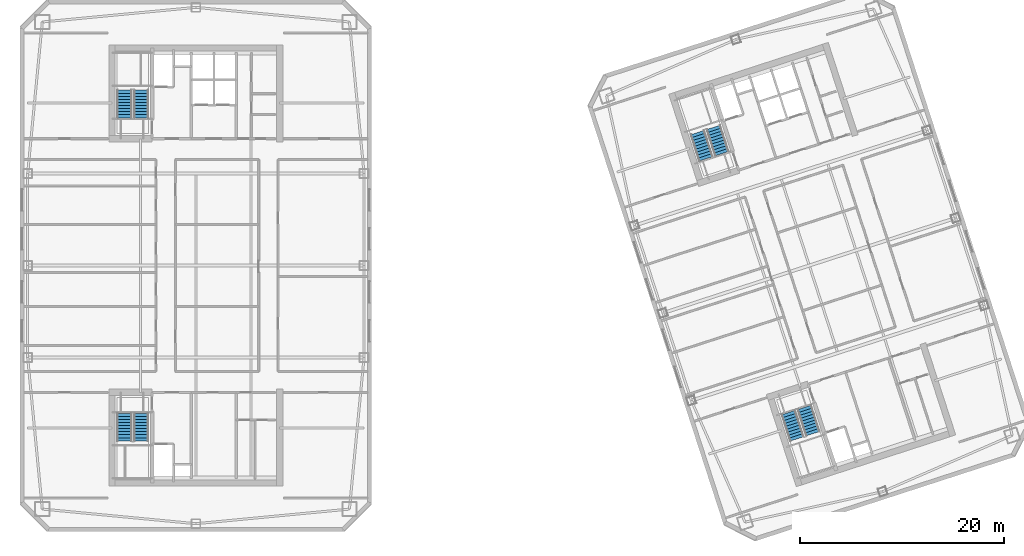
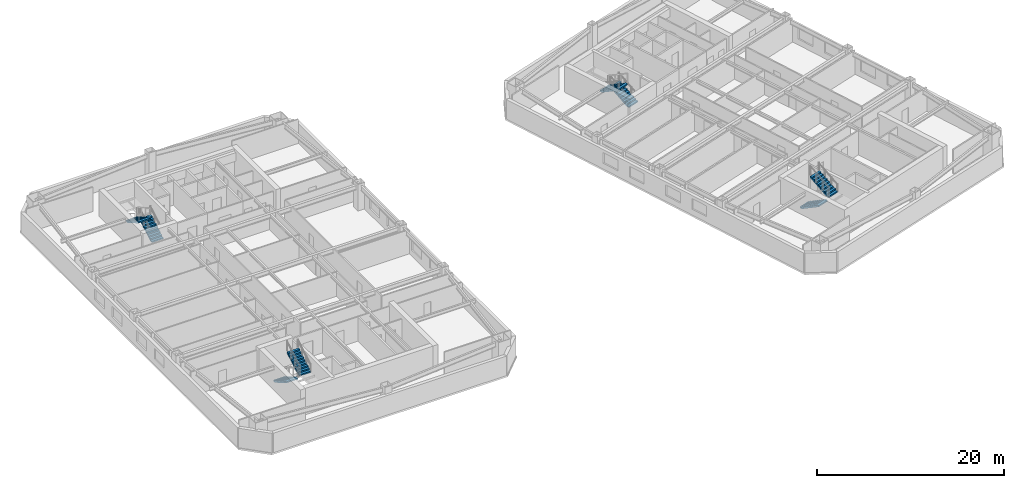
# One storey, part 11 of 13: 8 stair flights, 4 elements without a shape of their own.
"""IFC4 building model written with IfcOpenShell, lengths in metres."""

import ifcopenshell
import ifcopenshell.guid

model = None  # the IFC model being written
_history = None  # IfcOwnerHistory: only IFC2X3 demands one
_inside = {}  # id of a spatial element -> (the spatial element, [elements in it])
_under = {}  # id of a project, library or spatial element -> (it, [spatial elements below it])
_declared = {}  # id of a project -> (the project, [libraries it declares])
_typed = {}  # id of a type object -> (the type object, [elements of that type])
_made_of = {}  # id of a material, layer set ... -> (it, [elements and type objects made of it])


def new_model(schema):
    """Start an empty IFC model of exactly this schema.

    Asked for "IFC4X3", IfcOpenShell would pick the latest addendum, in which some entities
    have other attributes; the version numbers below select the first issue.
    IFC2X3 requires an IfcOwnerHistory on every rooted entity: one is made here for all.
    """
    global model, _history
    if schema == "IFC4X3":
        model = ifcopenshell.file(schema_version=(4, 3, 0, 0))
    else:
        model = ifcopenshell.file(schema=schema)
    _inside.clear()
    _under.clear()
    _declared.clear()
    _typed.clear()
    _made_of.clear()
    _history = None
    if model.schema == "IFC2X3":
        org = make("IfcOrganization", Name="unknown")
        user = make(
            "IfcPersonAndOrganization",
            ThePerson=make("IfcPerson", FamilyName="unknown"),
            TheOrganization=org,
        )
        app = make(
            "IfcApplication",
            ApplicationDeveloper=org,
            Version="unknown",
            ApplicationFullName="unknown",
            ApplicationIdentifier="unknown",
        )
        _history = make(
            "IfcOwnerHistory",
            OwningUser=user,
            OwningApplication=app,
            ChangeAction="ADDED",
            CreationDate=0,
        )
    return model


def make(cls, **values):
    """One entity of the class cls with the attributes given. An attribute that is None is left unset."""
    return model.create_entity(
        cls, **{name: value for name, value in values.items() if value is not None}
    )


def rooted(cls, **values):
    """An entity with a GlobalId (a new one), such as an element, a storey or a relation."""
    return make(cls, GlobalId=ifcopenshell.guid.new(), OwnerHistory=_history, **values)


def si_unit(unit_type, name, prefix=None):
    """IfcSIUnit, for example si_unit("LENGTHUNIT", "METRE", prefix="MILLI")."""
    return make("IfcSIUnit", UnitType=unit_type, Prefix=prefix, Name=name)


def assignment(units):
    """IfcUnitAssignment: the units of a project."""
    return None if units is None else make("IfcUnitAssignment", Units=units)


def point(xyz):
    """IfcCartesianPoint."""
    return None if xyz is None else make("IfcCartesianPoint", Coordinates=xyz)


def direction(xyz):
    """IfcDirection."""
    return None if xyz is None else make("IfcDirection", DirectionRatios=xyz)


def frame(location, z_axis=None, x_axis=None):
    """IfcAxis2Placement3D, a coordinate frame: its origin and axes. An axis left out is left unset."""
    return make(
        "IfcAxis2Placement3D",
        Location=point(location),
        Axis=direction(z_axis),
        RefDirection=direction(x_axis),
    )


def origin():
    """The frame at (0, 0, 0) with its axes left unset."""
    return frame((0.0, 0.0, 0.0))


def place(relative_to, where):
    """IfcLocalPlacement: puts the frame where relative to a parent placement (None: the world)."""
    return make(
        "IfcLocalPlacement", PlacementRelTo=relative_to, RelativePlacement=where
    )


def context(
    kind, dimensions, precision=None, world=None, true_north=None, identifier=None
):
    """IfcGeometricRepresentationContext, for example the 3D "Model" context."""
    return make(
        "IfcGeometricRepresentationContext",
        ContextIdentifier=identifier,
        ContextType=kind,
        CoordinateSpaceDimension=dimensions,
        Precision=precision,
        WorldCoordinateSystem=world,
        TrueNorth=true_north,
    )


def subcontext(parent, identifier, kind, view, scale=None):
    """IfcGeometricRepresentationSubContext, for example "Body" below "Model"."""
    return make(
        "IfcGeometricRepresentationSubContext",
        ContextIdentifier=identifier,
        ContextType=kind,
        ParentContext=parent,
        TargetScale=scale,
        TargetView=view,
    )


def project(units=None, contexts=None):
    """IfcProject with its units and contexts."""
    return rooted(
        "IfcProject",
        Name="project",
        RepresentationContexts=contexts,
        UnitsInContext=assignment(units),
    )


def spatial(cls, under=None, at=None, **own):
    """A site, building, storey or space (cls), placed at a placement, below another one or the project."""
    s = rooted(cls, ObjectPlacement=at, **own)
    if under is not None:
        _under.setdefault(under.id(), (under, []))[1].append(s)
    return s


def polyline(points):
    """IfcPolyline through the points."""
    return make("IfcPolyline", Points=[point(p) for p in points])


def outline(outer, holes=None, kind="AREA"):
    """IfcArbitraryClosedProfileDef: a profile drawn as a closed curve; with holes, ...WithVoids."""
    if holes is None:
        return make("IfcArbitraryClosedProfileDef", ProfileType=kind, OuterCurve=outer)
    return make(
        "IfcArbitraryProfileDefWithVoids",
        ProfileType=kind,
        OuterCurve=outer,
        InnerCurves=holes,
    )


def extrude(swept, where, along, depth):
    """IfcExtrudedAreaSolid: the profile swept, set in the frame where, extruded along a direction by depth."""
    return make(
        "IfcExtrudedAreaSolid",
        SweptArea=swept,
        Position=where,
        ExtrudedDirection=direction(along),
        Depth=depth,
    )


def shape(context_of_items, identifier, shape_type, items):
    """IfcShapeRepresentation: the items that make up one representation, for example the "Body"."""
    return make(
        "IfcShapeRepresentation",
        ContextOfItems=context_of_items,
        RepresentationIdentifier=identifier,
        RepresentationType=shape_type,
        Items=items,
    )


def material(Name=None, Category=None):
    """IfcMaterial."""
    return make("IfcMaterial", Name=Name, Category=Category)


def made_of(thing, what):
    """Note that an element or type object is made of a material, layer set ...; save() writes the relation."""
    if what is not None:
        _made_of.setdefault(what.id(), (what, []))[1].append(thing)
    return thing


def type_object(cls, material=None, **own):
    """A type object (cls), such as IfcWallType, which elements share."""
    return made_of(rooted(cls, **own), material)


def element(
    cls,
    number,
    at=None,
    inside=None,
    cuts=None,
    type_object=None,
    material=None,
    context=None,
    identifier="Body",
    shape_type=None,
    held_by="IfcProductDefinitionShape",
    body=None,
    shapes=None,
    **own,
):
    """One element of the class cls, such as IfcWall. Its Tag is "e" and its number.

    at: its placement. inside: the storey or other place that contains it. cuts: it is an
    opening in that element (IfcRelVoidsElement). A single representation is given by context,
    identifier, shape_type and body (its items); several are given by shapes. held_by: the class
    of the entity that holds the representations. save() writes the other relations.
    """
    e = rooted(cls, Tag="e%d" % number, ObjectPlacement=at, **own)
    if body is not None:
        shapes = [shape(context, identifier, shape_type, body)]
    if shapes is not None:
        e.Representation = make(held_by, Representations=shapes)
    if inside is not None:
        _inside.setdefault(inside.id(), (inside, []))[1].append(e)
    if cuts is not None:
        rooted(
            "IfcRelVoidsElement", RelatingBuildingElement=cuts, RelatedOpeningElement=e
        )
    if type_object is not None:
        _typed.setdefault(type_object.id(), (type_object, []))[1].append(e)
    return made_of(e, material)


def aggregate(whole, parts):
    """IfcRelAggregates: a whole, such as a stair, and the parts it consists of."""
    return rooted("IfcRelAggregates", RelatingObject=whole, RelatedObjects=parts)


def save(model, path):
    """Write the relations noted so far, then the file.

    IfcRelAggregates (storeys below a building ...), IfcRelContainedInSpatialStructure (elements
    in a storey), IfcRelDefinesByType, IfcRelAssociatesMaterial and IfcRelDeclares: one each for
    every whole, place, type object, material and project.
    """
    for whole, parts in _under.values():
        aggregate(whole, parts)
    for where, things in _inside.values():
        rooted(
            "IfcRelContainedInSpatialStructure",
            RelatedElements=things,
            RelatingStructure=where,
        )
    for kind, things in _typed.values():
        rooted("IfcRelDefinesByType", RelatedObjects=things, RelatingType=kind)
    for what, things in _made_of.values():
        rooted("IfcRelAssociatesMaterial", RelatedObjects=things, RelatingMaterial=what)
    for by, libraries in _declared.values():
        rooted("IfcRelDeclares", RelatingContext=by, RelatedDefinitions=libraries)
    model.write(path)


model = new_model("IFC4")

# Units and contexts
model_context = context("Model", 3, precision=1e-05, world=origin(), true_north=direction((0.0, 1.0)))
body_context = subcontext(model_context, "Body", "Model", "MODEL_VIEW")
ifc_project = project(units=[si_unit("LENGTHUNIT", "METRE"), si_unit("AREAUNIT", "SQUARE_METRE"), si_unit("VOLUMEUNIT", "CUBIC_METRE"), si_unit("PLANEANGLEUNIT", "RADIAN"), si_unit("MASSUNIT", "GRAM", prefix="KILO")], contexts=[model_context])

# Site, building, storey
site_placement = place(None, origin())
site = spatial("IfcSite", under=ifc_project, at=site_placement, CompositionType="ELEMENT")
building_placement = place(site_placement, origin())
building = spatial("IfcBuilding", under=site, at=building_placement, Name="Qiaolan Cultural Towers", CompositionType="ELEMENT")
storey_placement = place(building_placement, frame((0.0, 0.0, 180.550048828125)))
storey = spatial("IfcBuildingStorey", under=building, at=storey_placement, Name="L48", CompositionType="ELEMENT", Elevation=180.550048828125)

# Stair, stair flights
ifc_material_1 = material(Name="Concrete C45", Category="concrete")
stair_type = type_object("IfcStairType", Name="STR-CORE-1500", PredefinedType="HALF_TURN_STAIR", material=ifc_material_1)
stair_1_placement = place(storey_placement, origin())
stair_1 = element("IfcStair", 1, at=stair_1_placement, inside=storey, type_object=stair_type, Name="L48 Smokeproof Exit Stair ST-W1", PredefinedType="HALF_TURN_STAIR")
ifc_material_2 = material(Name="Concrete C45", Category="concrete")
stair_flight_type = type_object("IfcStairFlightType", Name="STR-CORE-1500-FL", PredefinedType="STRAIGHT", material=ifc_material_2)
stair_flight_1_placement = place(storey_placement, frame((23.02001953125, 19.550048828125, 0.0), z_axis=(0.0, 0.0, 1.0), x_axis=(0.0, -1.0, 0.0)))
stair_flight_1 = element("IfcStairFlight", 2, at=stair_flight_1_placement, type_object=stair_flight_type, Name="ST-W1 flight 1", NumberOfRisers=10, NumberOfTreads=9, PredefinedType="STRAIGHT", RiserHeight=0.1725, TreadLength=0.3, context=body_context, shape_type="SweptSolid", body=[
    extrude(outline(polyline([(0.0, 0.0), (0.0, 0.172607421875), (0.300048828125, 0.172607421875), (0.300048828125, 0.344970703125), (0.60009765625, 0.344970703125), (0.60009765625, 0.517578125), (0.89990234375, 0.517578125), (0.89990234375, 0.68994140625), (1.199951171875, 0.68994140625), (1.199951171875, 0.862548828125), (1.5, 0.862548828125), (1.5, 1.034912109375), (1.800048828125, 1.034912109375), (1.800048828125, 1.20751953125), (2.10009765625, 1.20751953125), (2.10009765625, 1.3798828125), (2.39990234375, 1.3798828125), (2.39990234375, 1.552490234375), (2.699951171875, 1.552490234375), (2.699951171875, 1.72509765625), (2.699951171875, 1.379638671875), (0.30078125, 0.0), (0.0, 0.0)])), frame((0.0, 0.719970703125, 0.0), z_axis=(0.0, -1.0, 0.0), x_axis=(1.0, 0.0, 0.0)), (0.0, 0.0, 1.0), 1.43994140625),
])
stair_flight_2_placement = place(storey_placement, frame((24.659912109375, 16.85009765625, 1.724853515625), z_axis=(0.0, 0.0, 1.0), x_axis=(0.0, 1.0, 0.0)))
stair_flight_2 = element("IfcStairFlight", 3, at=stair_flight_2_placement, type_object=stair_flight_type, Name="ST-W1 flight 2", NumberOfRisers=10, NumberOfTreads=9, PredefinedType="STRAIGHT", RiserHeight=0.1725, TreadLength=0.3, context=body_context, shape_type="SweptSolid", body=[
    extrude(outline(polyline([(0.0, 0.0), (0.0, 0.172607421875), (0.300048828125, 0.172607421875), (0.300048828125, 0.344970703125), (0.60009765625, 0.344970703125), (0.60009765625, 0.517578125), (0.89990234375, 0.517578125), (0.89990234375, 0.68994140625), (1.199951171875, 0.68994140625), (1.199951171875, 0.862548828125), (1.5, 0.862548828125), (1.5, 1.034912109375), (1.800048828125, 1.034912109375), (1.800048828125, 1.20751953125), (2.10009765625, 1.20751953125), (2.10009765625, 1.3798828125), (2.39990234375, 1.3798828125), (2.39990234375, 1.552490234375), (2.699951171875, 1.552490234375), (2.699951171875, 1.72509765625), (2.699951171875, 1.379638671875), (0.30078125, 0.0), (0.0, 0.0)])), frame((0.0, 0.719970703125, 0.0), z_axis=(0.0, -1.0, 0.0), x_axis=(1.0, 0.0, 0.0)), (0.0, 0.0, 1.0), 1.43994140625),
])
aggregate(stair_1, [stair_flight_1, stair_flight_2])

stair_2_placement = place(storey_placement, origin())
stair_2 = element("IfcStair", 4, at=stair_2_placement, inside=storey, type_object=stair_type, Name="L48 Smokeproof Exit Stair ST-W2", PredefinedType="HALF_TURN_STAIR")
stair_flight_3_placement = place(storey_placement, frame((24.659912109375, 48.449951171875, 0.0), z_axis=(0.0, 0.0, 1.0), x_axis=(0.0, 1.0, 0.0)))
stair_flight_3 = element("IfcStairFlight", 5, at=stair_flight_3_placement, type_object=stair_flight_type, Name="ST-W2 flight 1", NumberOfRisers=10, NumberOfTreads=9, PredefinedType="STRAIGHT", RiserHeight=0.1725, TreadLength=0.3, context=body_context, shape_type="SweptSolid", body=[
    extrude(outline(polyline([(0.0, 0.0), (0.0, 0.172607421875), (0.300048828125, 0.172607421875), (0.300048828125, 0.344970703125), (0.60009765625, 0.344970703125), (0.60009765625, 0.517578125), (0.89990234375, 0.517578125), (0.89990234375, 0.68994140625), (1.199951171875, 0.68994140625), (1.199951171875, 0.862548828125), (1.5, 0.862548828125), (1.5, 1.034912109375), (1.800048828125, 1.034912109375), (1.800048828125, 1.20751953125), (2.10009765625, 1.20751953125), (2.10009765625, 1.3798828125), (2.39990234375, 1.3798828125), (2.39990234375, 1.552490234375), (2.699951171875, 1.552490234375), (2.699951171875, 1.72509765625), (2.699951171875, 1.379638671875), (0.30078125, 0.0), (0.0, 0.0)])), frame((0.0, 0.719970703125, 0.0), z_axis=(0.0, -1.0, 0.0), x_axis=(1.0, 0.0, 0.0)), (0.0, 0.0, 1.0), 1.43994140625),
])
stair_flight_4_placement = place(storey_placement, frame((23.02001953125, 51.14990234375, 1.724853515625), z_axis=(0.0, 0.0, 1.0), x_axis=(0.0, -1.0, 0.0)))
stair_flight_4 = element("IfcStairFlight", 6, at=stair_flight_4_placement, type_object=stair_flight_type, Name="ST-W2 flight 2", NumberOfRisers=10, NumberOfTreads=9, PredefinedType="STRAIGHT", RiserHeight=0.1725, TreadLength=0.3, context=body_context, shape_type="SweptSolid", body=[
    extrude(outline(polyline([(0.0, 0.0), (0.0, 0.172607421875), (0.300048828125, 0.172607421875), (0.300048828125, 0.344970703125), (0.60009765625, 0.344970703125), (0.60009765625, 0.517578125), (0.89990234375, 0.517578125), (0.89990234375, 0.68994140625), (1.199951171875, 0.68994140625), (1.199951171875, 0.862548828125), (1.5, 0.862548828125), (1.5, 1.034912109375), (1.800048828125, 1.034912109375), (1.800048828125, 1.20751953125), (2.10009765625, 1.20751953125), (2.10009765625, 1.3798828125), (2.39990234375, 1.3798828125), (2.39990234375, 1.552490234375), (2.699951171875, 1.552490234375), (2.699951171875, 1.72509765625), (2.699951171875, 1.379638671875), (0.30078125, 0.0), (0.0, 0.0)])), frame((0.0, 0.719970703125, 0.0), z_axis=(0.0, -1.0, 0.0), x_axis=(1.0, 0.0, 0.0)), (0.0, 0.0, 1.0), 1.43994140625),
])
aggregate(stair_2, [stair_flight_3, stair_flight_4])

stair_3_placement = place(storey_placement, origin())
stair_3 = element("IfcStair", 7, at=stair_3_placement, inside=storey, type_object=stair_type, Name="L48 Smokeproof Exit Stair ST-E1", PredefinedType="HALF_TURN_STAIR")
stair_flight_5_placement = place(storey_placement, frame((87.96484375, 19.6171875, 0.0), z_axis=(0.0, 0.0, 1.0), x_axis=(0.309016994375, -0.951056516295, 0.0)))
stair_flight_5 = element("IfcStairFlight", 8, at=stair_flight_5_placement, type_object=stair_flight_type, Name="ST-E1 flight 1", NumberOfRisers=10, NumberOfTreads=9, PredefinedType="STRAIGHT", RiserHeight=0.1725, TreadLength=0.3, context=body_context, shape_type="SweptSolid", body=[
    extrude(outline(polyline([(0.0, 0.0), (0.0, 0.172607421875), (0.300048828125, 0.172607421875), (0.300048828125, 0.344970703125), (0.60009765625, 0.344970703125), (0.60009765625, 0.517578125), (0.89990234375, 0.517578125), (0.89990234375, 0.68994140625), (1.199951171875, 0.68994140625), (1.199951171875, 0.862548828125), (1.5, 0.862548828125), (1.5, 1.034912109375), (1.800048828125, 1.034912109375), (1.800048828125, 1.20751953125), (2.10009765625, 1.20751953125), (2.10009765625, 1.3798828125), (2.39990234375, 1.3798828125), (2.39990234375, 1.552490234375), (2.699951171875, 1.552490234375), (2.699951171875, 1.72509765625), (2.699951171875, 1.379638671875), (0.30078125, 0.0), (0.0, 0.0)])), frame((0.0, 0.719970703125, 0.0), z_axis=(0.0, -1.0, 0.0), x_axis=(1.0, 0.0, 0.0)), (0.0, 0.0, 1.0), 1.43994140625),
])
stair_flight_6_placement = place(storey_placement, frame((90.359130859375, 17.55615234375, 1.724853515625), z_axis=(0.0, 0.0, 1.0), x_axis=(-0.309016994375, 0.951056516295, 0.0)))
stair_flight_6 = element("IfcStairFlight", 9, at=stair_flight_6_placement, type_object=stair_flight_type, Name="ST-E1 flight 2", NumberOfRisers=10, NumberOfTreads=9, PredefinedType="STRAIGHT", RiserHeight=0.1725, TreadLength=0.3, context=body_context, shape_type="SweptSolid", body=[
    extrude(outline(polyline([(0.0, 0.0), (0.0, 0.172607421875), (0.300048828125, 0.172607421875), (0.300048828125, 0.344970703125), (0.60009765625, 0.344970703125), (0.60009765625, 0.517578125), (0.89990234375, 0.517578125), (0.89990234375, 0.68994140625), (1.199951171875, 0.68994140625), (1.199951171875, 0.862548828125), (1.5, 0.862548828125), (1.5, 1.034912109375), (1.800048828125, 1.034912109375), (1.800048828125, 1.20751953125), (2.10009765625, 1.20751953125), (2.10009765625, 1.3798828125), (2.39990234375, 1.3798828125), (2.39990234375, 1.552490234375), (2.699951171875, 1.552490234375), (2.699951171875, 1.72509765625), (2.699951171875, 1.379638671875), (0.30078125, 0.0), (0.0, 0.0)])), frame((0.0, 0.719970703125, 0.0), z_axis=(0.0, -1.0, 0.0), x_axis=(1.0, 0.0, 0.0)), (0.0, 0.0, 1.0), 1.43994140625),
])
aggregate(stair_3, [stair_flight_5, stair_flight_6])

stair_4_placement = place(storey_placement, origin())
stair_4 = element("IfcStair", 10, at=stair_4_placement, inside=storey, type_object=stair_type, Name="L48 Smokeproof Exit Stair ST-E2", PredefinedType="HALF_TURN_STAIR")
stair_flight_7_placement = place(storey_placement, frame((81.459228515625, 44.946533203125, 0.0), z_axis=(0.0, 0.0, 1.0), x_axis=(-0.309016994375, 0.951056516295, 0.0)))
stair_flight_7 = element("IfcStairFlight", 11, at=stair_flight_7_placement, type_object=stair_flight_type, Name="ST-E2 flight 1", NumberOfRisers=10, NumberOfTreads=9, PredefinedType="STRAIGHT", RiserHeight=0.1725, TreadLength=0.3, context=body_context, shape_type="SweptSolid", body=[
    extrude(outline(polyline([(0.0, 0.0), (0.0, 0.172607421875), (0.300048828125, 0.172607421875), (0.300048828125, 0.344970703125), (0.60009765625, 0.344970703125), (0.60009765625, 0.517578125), (0.89990234375, 0.517578125), (0.89990234375, 0.68994140625), (1.199951171875, 0.68994140625), (1.199951171875, 0.862548828125), (1.5, 0.862548828125), (1.5, 1.034912109375), (1.800048828125, 1.034912109375), (1.800048828125, 1.20751953125), (2.10009765625, 1.20751953125), (2.10009765625, 1.3798828125), (2.39990234375, 1.3798828125), (2.39990234375, 1.552490234375), (2.699951171875, 1.552490234375), (2.699951171875, 1.72509765625), (2.699951171875, 1.379638671875), (0.30078125, 0.0), (0.0, 0.0)])), frame((0.0, 0.719970703125, 0.0), z_axis=(0.0, -1.0, 0.0), x_axis=(1.0, 0.0, 0.0)), (0.0, 0.0, 1.0), 1.43994140625),
])
stair_flight_8_placement = place(storey_placement, frame((79.065185546875, 47.007568359375, 1.724853515625), z_axis=(0.0, 0.0, 1.0), x_axis=(0.309016994375, -0.951056516295, 0.0)))
stair_flight_8 = element("IfcStairFlight", 12, at=stair_flight_8_placement, type_object=stair_flight_type, Name="ST-E2 flight 2", NumberOfRisers=10, NumberOfTreads=9, PredefinedType="STRAIGHT", RiserHeight=0.1725, TreadLength=0.3, context=body_context, shape_type="SweptSolid", body=[
    extrude(outline(polyline([(0.0, 0.0), (0.0, 0.172607421875), (0.300048828125, 0.172607421875), (0.300048828125, 0.344970703125), (0.60009765625, 0.344970703125), (0.60009765625, 0.517578125), (0.89990234375, 0.517578125), (0.89990234375, 0.68994140625), (1.199951171875, 0.68994140625), (1.199951171875, 0.862548828125), (1.5, 0.862548828125), (1.5, 1.034912109375), (1.800048828125, 1.034912109375), (1.800048828125, 1.20751953125), (2.10009765625, 1.20751953125), (2.10009765625, 1.3798828125), (2.39990234375, 1.3798828125), (2.39990234375, 1.552490234375), (2.699951171875, 1.552490234375), (2.699951171875, 1.72509765625), (2.699951171875, 1.379638671875), (0.30078125, 0.0), (0.0, 0.0)])), frame((0.0, 0.719970703125, 0.0), z_axis=(0.0, -1.0, 0.0), x_axis=(1.0, 0.0, 0.0)), (0.0, 0.0, 1.0), 1.43994140625),
])
aggregate(stair_4, [stair_flight_7, stair_flight_8])

save(model, "model.ifc")
